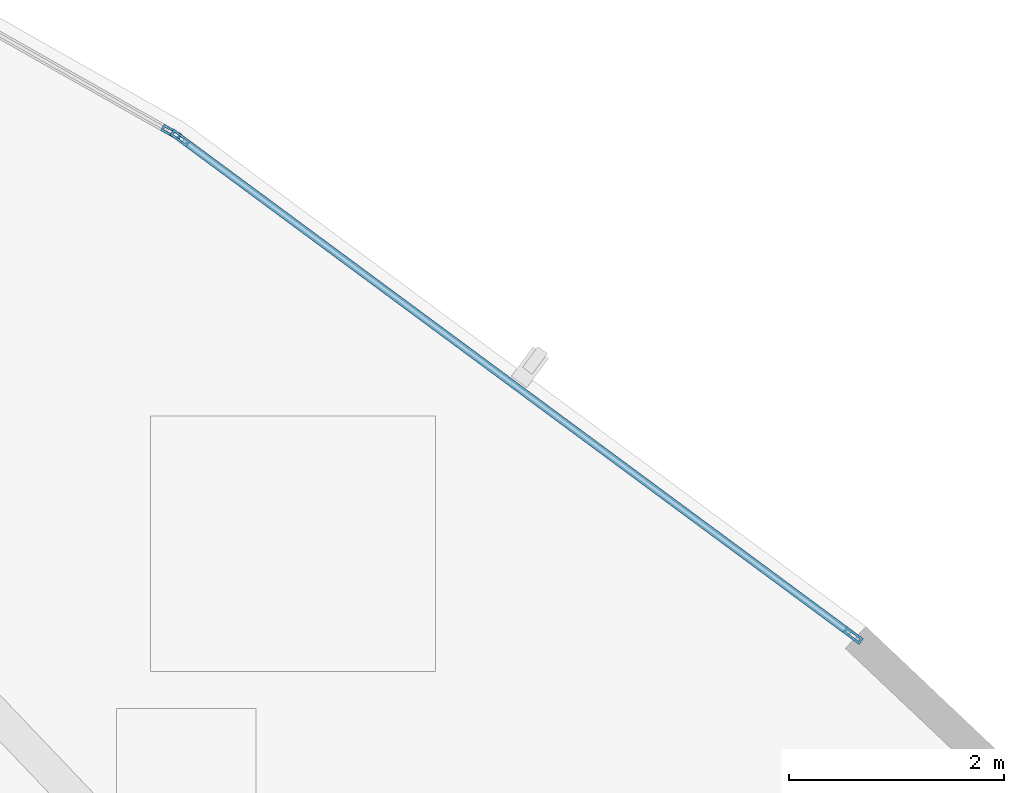
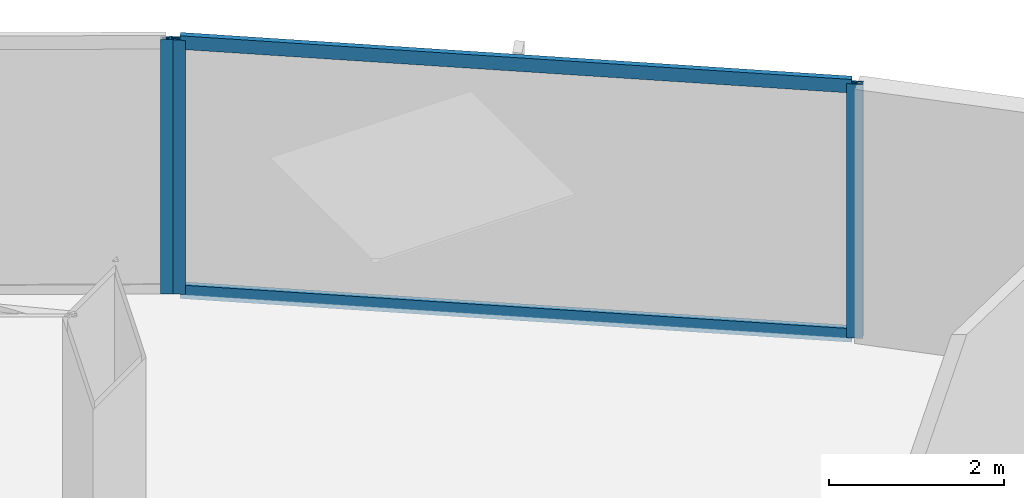
# One storey, part 10 of 18: 5 members, 2 elements without a shape of their own.
"""IFC4 building model written with IfcOpenShell, lengths in metres."""

from ifc_helpers import new_model, si_unit, direction, frame, origin, origin_2d, place, context, subcontext, project, spatial, hollow_rectangle, extrude, source, transform, mapped, material, layer, layer_set, material_profile, profile_set, type_object, type_shapes, element, aggregate, save


model = new_model("IFC4")

# Units and contexts
model_context = context("Model", 3, precision=1e-05, world=origin(), true_north=direction((0.0, 1.0)))
body_context = subcontext(model_context, "Body", "Model", "MODEL_VIEW")
ifc_project = project(units=[si_unit("LENGTHUNIT", "METRE"), si_unit("AREAUNIT", "SQUARE_METRE"), si_unit("VOLUMEUNIT", "CUBIC_METRE"), si_unit("PLANEANGLEUNIT", "RADIAN"), si_unit("MASSUNIT", "GRAM", prefix="KILO")], contexts=[model_context])

# Site, building, storey
site_placement = place(None, origin())
site = spatial("IfcSite", under=ifc_project, at=site_placement, CompositionType="ELEMENT")
building_placement = place(site_placement, origin())
building = spatial("IfcBuilding", under=site, at=building_placement, Name="Tavelor Broadcast Tower", CompositionType="ELEMENT")
storey_placement = place(building_placement, frame((0.0, 0.0, 146.39990234375)))
storey = spatial("IfcBuildingStorey", under=building, at=storey_placement, Name="L34", CompositionType="ELEMENT", Elevation=146.39990234375)

# Curtain wall, members
ifc_material = material(Name="Architectural Anodized Aluminium", Category="aluminium")
ifc_layer = layer(ifc_material, 0.18994140625)
ifc_layer_set = layer_set([ifc_layer], Name="Architectural Anodized Aluminium")
curtain_wall_type = type_object("IfcCurtainWallType", Name="Tower Mid-Zone Acoustic Curtain Wall CW03", PredefinedType="NOTDEFINED", material=ifc_layer_set)
curtain_wall_1_placement = place(storey_placement, origin())
curtain_wall_1 = element("IfcCurtainWall", 1, at=curtain_wall_1_placement, inside=storey, type_object=curtain_wall_type, Name="L34 Curtain Wall CW03 Run 357", PredefinedType="NOTDEFINED")
ifc_material_profile_1 = material_profile(ifc_material, hollow_rectangle(XDim=0.068115234375, YDim=0.18994140625, WallThickness=0.02197265625, at=origin_2d()), Name="RHS 68x190x22")
ifc_profile_set_1 = profile_set([ifc_material_profile_1], Name="Architectural Anodized Aluminium")
member_type_1 = type_object("IfcMemberType", Name="CW03 Extruded Aluminium Mullion 68x190", PredefinedType="MULLION", material=ifc_profile_set_1)
shared_shape_1 = source(origin(), body_context, "Body", "SweptSolid", [
    extrude(hollow_rectangle(XDim=0.068115234375, YDim=0.18994140625, WallThickness=0.02197265625, at=origin_2d()), origin(), (0.0, 0.0, 1.0), 3.550048828125),
])
type_shapes(member_type_1, [shared_shape_1])
member_1_placement = place(storey_placement, frame((71.784423828125, 58.6123046875, 0.0), z_axis=(0.0, 0.0, 1.0), x_axis=(-0.594484658377, -0.804106952435, 0.0)))
member_1 = element("IfcMember", 2, at=member_1_placement, type_object=member_type_1, Name="CW03 mullion 1", PredefinedType="MULLION", context=body_context, shape_type="MappedRepresentation", body=[
    mapped(shared_shape_1, transform((0.0, 0.0, 0.0), scale=1.0)),
])
member_2_placement = place(storey_placement, frame((65.510498046875, 63.250732421875, 0.0), z_axis=(0.0, 0.0, 1.0), x_axis=(-0.594484658377, -0.804106952435, 0.0)))
member_2 = element("IfcMember", 3, at=member_2_placement, type_object=member_type_1, Name="CW03 mullion 2", PredefinedType="MULLION", context=body_context, shape_type="MappedRepresentation", body=[
    mapped(shared_shape_1, transform((0.0, 0.0, 0.0), scale=1.0)),
])

# Curtain wall, member
curtain_wall_2_placement = place(storey_placement, origin())
curtain_wall_2 = element("IfcCurtainWall", 4, at=curtain_wall_2_placement, inside=storey, type_object=curtain_wall_type, Name="L34 Curtain Wall CW03 Run 358", PredefinedType="NOTDEFINED")
member_3_placement = place(storey_placement, frame((65.428466796875, 63.303955078125, 0.0), z_axis=(0.0, 0.0, 1.0), x_axis=(-0.492787394129, -0.87014974814, 0.0)))
member_3 = element("IfcMember", 5, at=member_3_placement, type_object=member_type_1, Name="CW03 mullion 1", PredefinedType="MULLION", context=body_context, shape_type="MappedRepresentation", body=[
    mapped(shared_shape_1, transform((0.0, 0.0, 0.0), scale=1.0)),
])
aggregate(curtain_wall_2, [member_3])

# Member
ifc_material_profile_2 = material_profile(ifc_material, hollow_rectangle(XDim=0.068115234375, YDim=0.18994140625, WallThickness=0.02197265625, at=origin_2d()), Name="RHS 68x190x22")
ifc_profile_set_2 = profile_set([ifc_material_profile_2], Name="Architectural Anodized Aluminium")
member_type_2 = type_object("IfcMemberType", Name="CW03 Extruded Aluminium Transom 68x190", PredefinedType="USERDEFINED", material=ifc_profile_set_2)
shared_shape_2 = source(origin(), body_context, "Body", "SweptSolid", [
    extrude(hollow_rectangle(XDim=0.068115234375, YDim=0.18994140625, WallThickness=0.02197265625, at=origin_2d()), origin(), (0.0, 0.0, 1.0), 7.734375),
])
type_shapes(member_type_2, [shared_shape_2])
member_4_placement = place(storey_placement, frame((71.757080078125, 58.632568359375, 0.0341796875), z_axis=(-0.80410987894, 0.594480699932, 0.0), x_axis=(-0.594480699932, -0.80410987894, 0.0)))
member_4 = element("IfcMember", 6, at=member_4_placement, type_object=member_type_2, Name="CW03 transom 1.1", ObjectType="TRANSOM", PredefinedType="USERDEFINED", context=body_context, shape_type="MappedRepresentation", body=[
    mapped(shared_shape_2, transform((0.0, 0.0, 0.0), scale=1.0)),
])

member_5_placement = place(storey_placement, frame((71.757080078125, 58.632568359375, 3.51611328125), z_axis=(-0.80410987894, 0.594480699932, 0.0), x_axis=(-0.594480699932, -0.80410987894, 0.0)))
member_5 = element("IfcMember", 7, at=member_5_placement, type_object=member_type_2, Name="CW03 transom 1.2", ObjectType="TRANSOM", PredefinedType="USERDEFINED", context=body_context, shape_type="MappedRepresentation", body=[
    mapped(shared_shape_2, transform((0.0, 0.0, 0.0), scale=1.0)),
])

aggregate(curtain_wall_1, [member_1, member_2, member_4, member_5])

save(model, "model.ifc")
